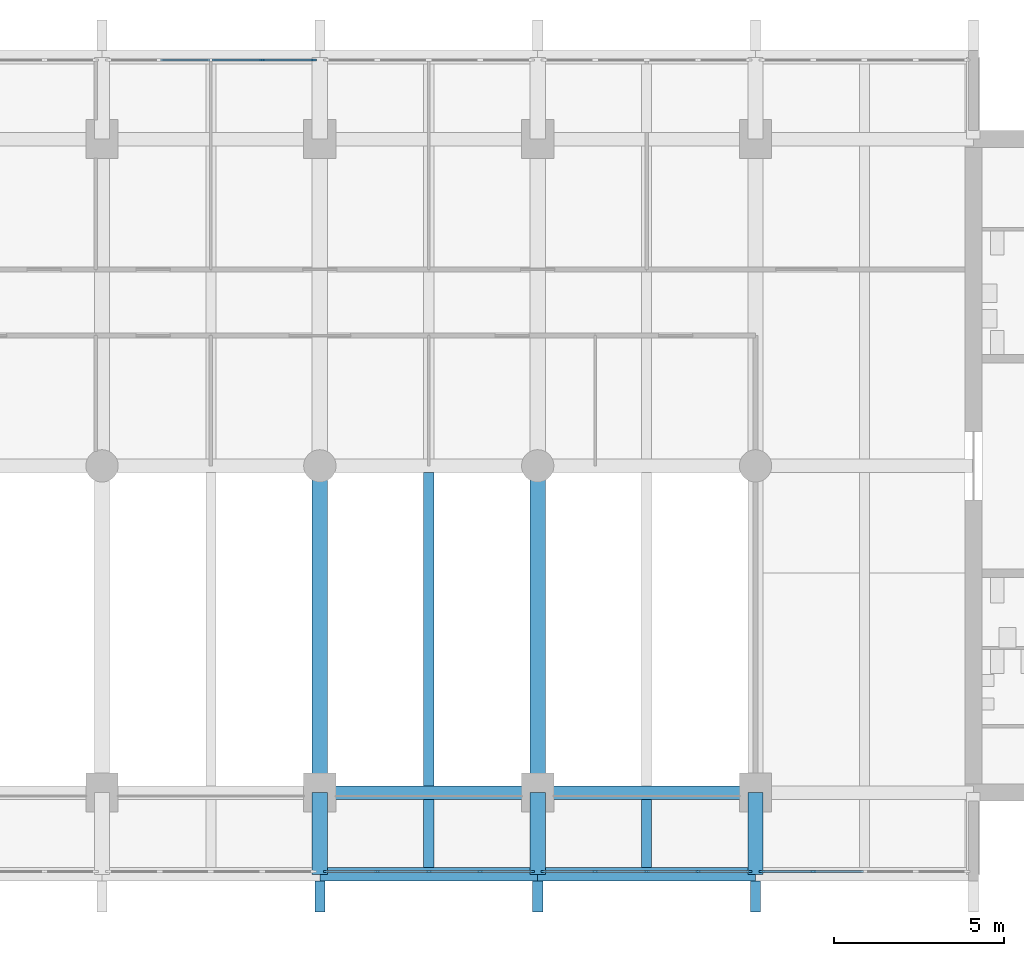
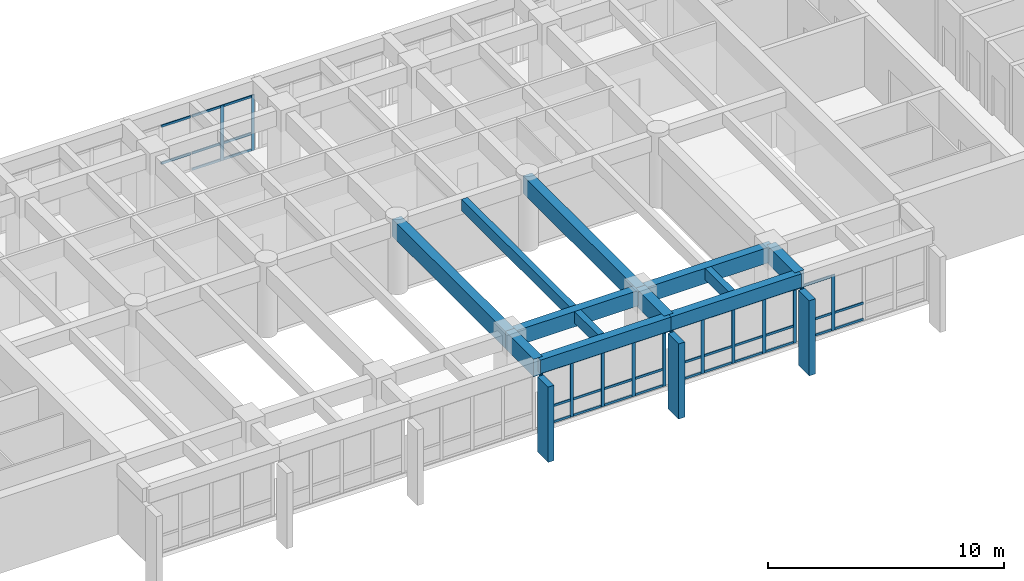
# One storey, part 4 of 15: 54 members, 12 beams, 4 elements without a shape of their own.
"""IFC4 building model written with IfcOpenShell, lengths in metres."""

from ifc_helpers import new_model, si_unit, direction, frame, origin, origin_2d, place, context, subcontext, project, spatial, rectangle, extrude, material, layer, layer_set, material_profile, profile_set, type_object, element, aggregate, save


model = new_model("IFC4")

# Units and contexts
model_context = context("Model", 3, precision=1e-05, world=origin(), true_north=direction((0.0, 1.0)))
body_context = subcontext(model_context, "Body", "Model", "MODEL_VIEW")
ifc_project = project(units=[si_unit("LENGTHUNIT", "METRE"), si_unit("AREAUNIT", "SQUARE_METRE"), si_unit("VOLUMEUNIT", "CUBIC_METRE"), si_unit("PLANEANGLEUNIT", "RADIAN"), si_unit("MASSUNIT", "GRAM", prefix="KILO")], contexts=[model_context])

# Site, building, storey
site_placement = place(None, origin())
site = spatial("IfcSite", under=ifc_project, at=site_placement, CompositionType="ELEMENT")
building_placement = place(site_placement, origin())
building = spatial("IfcBuilding", under=site, at=building_placement, Name="Fogon Plaza Fire Station and Headquarters Tower", CompositionType="ELEMENT")
storey_placement = place(building_placement, frame((0.0, 0.0, 36.60009765625)))
storey = spatial("IfcBuildingStorey", under=building, at=storey_placement, Name="L09", CompositionType="ELEMENT", Elevation=36.60009765625)

# Beams
ifc_material_1 = material(Name="Concrete C40", Category="concrete")
ifc_material_profile_1 = material_profile(ifc_material_1, rectangle(XDim=0.39990234375, YDim=0.699951171875, at=origin_2d()), Name="RC 400x700")
ifc_profile_set_1 = profile_set([ifc_material_profile_1], Name="Concrete C40")
beam_type_1 = type_object("IfcBeamType", Name="BEAM RC 400x700", PredefinedType="BEAM", material=ifc_profile_set_1)
beam_1_placement = place(storey_placement, frame((44.800048828125, 31.199951171875, 3.329833984375), z_axis=(1.0, 0.0, 0.0), x_axis=(0.0, 1.0, 0.0)))
element("IfcBeam", 1, at=beam_1_placement, inside=storey, type_object=beam_type_1, Name="beam-L09-042", PredefinedType="BEAM", context=body_context, shape_type="SweptSolid", body=[
    extrude(rectangle(XDim=0.39990234375, YDim=0.699951171875, at=origin_2d()), origin(), (0.0, 0.0, 1.0), 6.39990234375),
])
beam_2_placement = place(storey_placement, frame((51.199951171875, 31.199951171875, 3.329833984375), z_axis=(1.0, 0.0, 0.0), x_axis=(0.0, 1.0, 0.0)))
element("IfcBeam", 2, at=beam_2_placement, inside=storey, type_object=beam_type_1, Name="beam-L09-043", PredefinedType="BEAM", context=body_context, shape_type="SweptSolid", body=[
    extrude(rectangle(XDim=0.39990234375, YDim=0.699951171875, at=origin_2d()), origin(), (0.0, 0.0, 1.0), 6.400146484375),
])
ifc_material_2 = material(Name="Concrete C40", Category="concrete")
ifc_material_profile_2 = material_profile(ifc_material_2, rectangle(XDim=0.39990234375, YDim=0.800048828125, at=origin_2d()), Name="RC 400x800")
ifc_profile_set_2 = profile_set([ifc_material_profile_2], Name="Concrete C40")
beam_type_2 = type_object("IfcBeamType", Name="BEAM RC 400x800", PredefinedType="BEAM", material=ifc_profile_set_2)
beam_3_placement = place(storey_placement, frame((44.800048828125, 33.60009765625, 3.27978515625), z_axis=(1.0, 0.0, 0.0), x_axis=(0.0, 1.0, 0.0)))
element("IfcBeam", 3, at=beam_3_placement, inside=storey, type_object=beam_type_2, Name="beam-L09-024", PredefinedType="BEAM", context=body_context, shape_type="SweptSolid", body=[
    extrude(rectangle(XDim=0.39990234375, YDim=0.800048828125, at=origin_2d()), origin(), (0.0, 0.0, 1.0), 6.39990234375),
])
beam_4_placement = place(storey_placement, frame((51.199951171875, 33.60009765625, 3.27978515625), z_axis=(1.0, 0.0, 0.0), x_axis=(0.0, 1.0, 0.0)))
element("IfcBeam", 4, at=beam_4_placement, inside=storey, type_object=beam_type_2, Name="beam-L09-025", PredefinedType="BEAM", context=body_context, shape_type="SweptSolid", body=[
    extrude(rectangle(XDim=0.39990234375, YDim=0.800048828125, at=origin_2d()), origin(), (0.0, 0.0, 1.0), 6.400146484375),
])
ifc_material_3 = material(Name="Concrete C40", Category="concrete")
ifc_material_profile_3 = material_profile(ifc_material_3, rectangle(XDim=0.449951171875, YDim=0.89990234375, at=origin_2d()), Name="RC 450x900")
ifc_profile_set_3 = profile_set([ifc_material_profile_3], Name="Concrete C40")
beam_type_3 = type_object("IfcBeamType", Name="BEAM RC 450x900", PredefinedType="BEAM", material=ifc_profile_set_3)
for number, where, z_axis, x_axis, name in (
    (5, (44.800048828125, 33.60009765625, 3.22998046875), (0.0, 1.0, 0.0), (-1.0, 0.0, 0.0), "beam-L09-010"),
    (6, (51.199951171875, 33.60009765625, 3.22998046875), (0.0, 1.0, 0.0), (-1.0, 0.0, 0.0), "beam-L09-014"),
):
    element("IfcBeam", number, at=place(storey_placement, frame(where, z_axis=z_axis, x_axis=x_axis)), inside=storey, type_object=beam_type_3, Name=name, PredefinedType="BEAM", context=body_context, shape_type="SweptSolid", body=[
        extrude(rectangle(XDim=0.449951171875, YDim=0.89990234375, at=origin_2d()), origin(), (0.0, 0.0, 1.0), 9.599853515625),
    ])
ifc_material_4 = material(Name="Concrete C40", Category="concrete")
ifc_material_profile_4 = material_profile(ifc_material_4, rectangle(XDim=0.449951171875, YDim=0.89990234375, at=origin_2d()), Name="RC 450x900")
ifc_profile_set_4 = profile_set([ifc_material_profile_4], Name="Concrete C40")
beam_type_4 = type_object("IfcBeamType", Name="BEAM RC 450x900 SPAN 0.0 TO 3.0 M", PredefinedType="BEAM", material=ifc_profile_set_4)
for number, where, z_axis, x_axis, name in (
    (7, (44.800048828125, 31.199951171875, 3.22998046875), (0.0, 1.0, 0.0), (-1.0, 0.0, 0.0), "beam-L09-009"),
    (8, (51.199951171875, 31.199951171875, 3.22998046875), (0.0, 1.0, 0.0), (-1.0, 0.0, 0.0), "beam-L09-013"),
    (9, (57.60009765625, 31.199951171875, 3.22998046875), (0.0, 1.0, 0.0), (-1.0, 0.0, 0.0), "beam-L09-017"),
):
    element("IfcBeam", number, at=place(storey_placement, frame(where, z_axis=z_axis, x_axis=x_axis)), inside=storey, type_object=beam_type_4, Name=name, PredefinedType="BEAM", context=body_context, shape_type="SweptSolid", body=[
        extrude(rectangle(XDim=0.449951171875, YDim=0.89990234375, at=origin_2d()), origin(), (0.0, 0.0, 1.0), 2.400146484375),
    ])

# Curtain wall, members
ifc_material_5 = material(Name="Aluminium and glass", Category="aluminium")
ifc_layer = layer(ifc_material_5, 0.14990234375)
ifc_layer_set = layer_set([ifc_layer], Name="Aluminium and glass")
curtain_wall_type = type_object("IfcCurtainWallType", Name="Unitised Curtain Wall Run 6100x2880", PredefinedType="NOTDEFINED", material=ifc_layer_set)
curtain_wall_1_placement = place(storey_placement, origin())
curtain_wall_1 = element("IfcCurtainWall", 10, at=curtain_wall_1_placement, inside=storey, type_object=curtain_wall_type, Name="CW-6100x2880 S4 L09", PredefinedType="NOTDEFINED")
ifc_material_6 = material(Name="Aluminium", Category="aluminium")
ifc_material_profile_5 = material_profile(ifc_material_6, rectangle(XDim=0.06005859375, YDim=0.159912109375, at=origin_2d()), Name="Curtain Wall Mullion 60x160")
ifc_profile_set_5 = profile_set([ifc_material_profile_5], Name="Aluminium")
member_type_1 = type_object("IfcMemberType", Name="Curtain Wall Mullion 60x160", PredefinedType="MULLION", material=ifc_profile_set_5)
member_1_placement = place(storey_placement, frame((44.97998046875, 31.280029296875, 0.0), z_axis=(0.0, 0.0, 1.0), x_axis=(0.0, 1.0, 0.0)))
member_1 = element("IfcMember", 11, at=member_1_placement, type_object=member_type_1, Name="CW-6100x2880 mullion 1", PredefinedType="MULLION", context=body_context, shape_type="SweptSolid", body=[
    extrude(rectangle(XDim=0.06005859375, YDim=0.159912109375, at=origin_2d()), origin(), (0.0, 0.0, 1.0), 2.8798828125),
])
member_2_placement = place(storey_placement, frame((46.489990234375, 31.280029296875, 0.0), z_axis=(0.0, 0.0, 1.0), x_axis=(0.0, 1.0, 0.0)))
member_2 = element("IfcMember", 12, at=member_2_placement, type_object=member_type_1, Name="CW-6100x2880 mullion 2", PredefinedType="MULLION", context=body_context, shape_type="SweptSolid", body=[
    extrude(rectangle(XDim=0.06005859375, YDim=0.159912109375, at=origin_2d()), origin(), (0.0, 0.0, 1.0), 2.8798828125),
])
member_3_placement = place(storey_placement, frame((48.0, 31.280029296875, 0.0), z_axis=(0.0, 0.0, 1.0), x_axis=(0.0, 1.0, 0.0)))
member_3 = element("IfcMember", 13, at=member_3_placement, type_object=member_type_1, Name="CW-6100x2880 mullion 3", PredefinedType="MULLION", context=body_context, shape_type="SweptSolid", body=[
    extrude(rectangle(XDim=0.06005859375, YDim=0.159912109375, at=origin_2d()), origin(), (0.0, 0.0, 1.0), 2.8798828125),
])
member_4_placement = place(storey_placement, frame((49.510009765625, 31.280029296875, 0.0), z_axis=(0.0, 0.0, 1.0), x_axis=(0.0, 1.0, 0.0)))
member_4 = element("IfcMember", 14, at=member_4_placement, type_object=member_type_1, Name="CW-6100x2880 mullion 4", PredefinedType="MULLION", context=body_context, shape_type="SweptSolid", body=[
    extrude(rectangle(XDim=0.06005859375, YDim=0.159912109375, at=origin_2d()), origin(), (0.0, 0.0, 1.0), 2.8798828125),
])
member_5_placement = place(storey_placement, frame((51.02001953125, 31.280029296875, 0.0), z_axis=(0.0, 0.0, 1.0), x_axis=(0.0, 1.0, 0.0)))
member_5 = element("IfcMember", 15, at=member_5_placement, type_object=member_type_1, Name="CW-6100x2880 mullion 5", PredefinedType="MULLION", context=body_context, shape_type="SweptSolid", body=[
    extrude(rectangle(XDim=0.06005859375, YDim=0.159912109375, at=origin_2d()), origin(), (0.0, 0.0, 1.0), 2.8798828125),
])

curtain_wall_2_placement = place(storey_placement, origin())
curtain_wall_2 = element("IfcCurtainWall", 16, at=curtain_wall_2_placement, inside=storey, type_object=curtain_wall_type, Name="CW-6100x2880 S5 L09", PredefinedType="NOTDEFINED")
member_6_placement = place(storey_placement, frame((51.3798828125, 31.280029296875, 0.0), z_axis=(0.0, 0.0, 1.0), x_axis=(0.0, 1.0, 0.0)))
member_6 = element("IfcMember", 17, at=member_6_placement, type_object=member_type_1, Name="CW-6100x2880 mullion 1", PredefinedType="MULLION", context=body_context, shape_type="SweptSolid", body=[
    extrude(rectangle(XDim=0.06005859375, YDim=0.159912109375, at=origin_2d()), origin(), (0.0, 0.0, 1.0), 2.8798828125),
])
member_7_placement = place(storey_placement, frame((52.889892578125, 31.280029296875, 0.0), z_axis=(0.0, 0.0, 1.0), x_axis=(0.0, 1.0, 0.0)))
member_7 = element("IfcMember", 18, at=member_7_placement, type_object=member_type_1, Name="CW-6100x2880 mullion 2", PredefinedType="MULLION", context=body_context, shape_type="SweptSolid", body=[
    extrude(rectangle(XDim=0.06005859375, YDim=0.159912109375, at=origin_2d()), origin(), (0.0, 0.0, 1.0), 2.8798828125),
])
member_8_placement = place(storey_placement, frame((54.39990234375, 31.280029296875, 0.0), z_axis=(0.0, 0.0, 1.0), x_axis=(0.0, 1.0, 0.0)))
member_8 = element("IfcMember", 19, at=member_8_placement, type_object=member_type_1, Name="CW-6100x2880 mullion 3", PredefinedType="MULLION", context=body_context, shape_type="SweptSolid", body=[
    extrude(rectangle(XDim=0.06005859375, YDim=0.159912109375, at=origin_2d()), origin(), (0.0, 0.0, 1.0), 2.8798828125),
])
member_9_placement = place(storey_placement, frame((55.909912109375, 31.280029296875, 0.0), z_axis=(0.0, 0.0, 1.0), x_axis=(0.0, 1.0, 0.0)))
member_9 = element("IfcMember", 20, at=member_9_placement, type_object=member_type_1, Name="CW-6100x2880 mullion 4", PredefinedType="MULLION", context=body_context, shape_type="SweptSolid", body=[
    extrude(rectangle(XDim=0.06005859375, YDim=0.159912109375, at=origin_2d()), origin(), (0.0, 0.0, 1.0), 2.8798828125),
])
member_10_placement = place(storey_placement, frame((57.419921875, 31.280029296875, 0.0), z_axis=(0.0, 0.0, 1.0), x_axis=(0.0, 1.0, 0.0)))
member_10 = element("IfcMember", 21, at=member_10_placement, type_object=member_type_1, Name="CW-6100x2880 mullion 5", PredefinedType="MULLION", context=body_context, shape_type="SweptSolid", body=[
    extrude(rectangle(XDim=0.06005859375, YDim=0.159912109375, at=origin_2d()), origin(), (0.0, 0.0, 1.0), 2.8798828125),
])

curtain_wall_3_placement = place(storey_placement, origin())
curtain_wall_3 = element("IfcCurtainWall", 22, at=curtain_wall_3_placement, inside=storey, type_object=curtain_wall_type, Name="CW-6100x2880 S6 L09", PredefinedType="NOTDEFINED")
member_11_placement = place(storey_placement, frame((57.780029296875, 31.280029296875, 0.0), z_axis=(0.0, 0.0, 1.0), x_axis=(0.0, 1.0, 0.0)))
member_11 = element("IfcMember", 23, at=member_11_placement, type_object=member_type_1, Name="CW-6100x2880 mullion 1", PredefinedType="MULLION", context=body_context, shape_type="SweptSolid", body=[
    extrude(rectangle(XDim=0.06005859375, YDim=0.159912109375, at=origin_2d()), origin(), (0.0, 0.0, 1.0), 2.8798828125),
])
member_12_placement = place(storey_placement, frame((59.2900390625, 31.280029296875, 0.0), z_axis=(0.0, 0.0, 1.0), x_axis=(0.0, 1.0, 0.0)))
member_12 = element("IfcMember", 24, at=member_12_placement, type_object=member_type_1, Name="CW-6100x2880 mullion 2", PredefinedType="MULLION", context=body_context, shape_type="SweptSolid", body=[
    extrude(rectangle(XDim=0.06005859375, YDim=0.159912109375, at=origin_2d()), origin(), (0.0, 0.0, 1.0), 2.8798828125),
])

curtain_wall_4_placement = place(storey_placement, origin())
curtain_wall_4 = element("IfcCurtainWall", 25, at=curtain_wall_4_placement, inside=storey, type_object=curtain_wall_type, Name="CW-6100x2880 N3 L09", PredefinedType="NOTDEFINED")
member_13_placement = place(storey_placement, frame((43.110107421875, 55.1201171875, 0.0), z_axis=(0.0, 0.0, 1.0), x_axis=(0.0, 1.0, 0.0)))
member_13 = element("IfcMember", 26, at=member_13_placement, type_object=member_type_1, Name="CW-6100x2880 mullion 4", PredefinedType="MULLION", context=body_context, shape_type="SweptSolid", body=[
    extrude(rectangle(XDim=0.06005859375, YDim=0.159912109375, at=origin_2d()), origin(), (0.0, 0.0, 1.0), 2.8798828125),
])
member_14_placement = place(storey_placement, frame((44.6201171875, 55.1201171875, 0.0), z_axis=(0.0, 0.0, 1.0), x_axis=(0.0, 1.0, 0.0)))
member_14 = element("IfcMember", 27, at=member_14_placement, type_object=member_type_1, Name="CW-6100x2880 mullion 5", PredefinedType="MULLION", context=body_context, shape_type="SweptSolid", body=[
    extrude(rectangle(XDim=0.06005859375, YDim=0.159912109375, at=origin_2d()), origin(), (0.0, 0.0, 1.0), 2.8798828125),
])

# Member
ifc_material_7 = material(Name="Aluminium", Category="aluminium")
ifc_material_profile_6 = material_profile(ifc_material_7, rectangle(XDim=0.06005859375, YDim=0.1201171875, at=origin_2d()), Name="Curtain Wall Transom 60x120")
ifc_profile_set_6 = profile_set([ifc_material_profile_6], Name="Aluminium")
member_type_2 = type_object("IfcMemberType", Name="Curtain Wall Transom 60x120", PredefinedType="USERDEFINED", material=ifc_profile_set_6)
member_15_placement = place(storey_placement, frame((45.010009765625, 31.280029296875, 0.059814453125), z_axis=(1.0, 0.0, 0.0), x_axis=(0.0, 1.0, 0.0)))
member_15 = element("IfcMember", 28, at=member_15_placement, type_object=member_type_2, Name="CW-6100x2880 transom 1.1", ObjectType="TRANSOM", PredefinedType="USERDEFINED", context=body_context, shape_type="SweptSolid", body=[
    extrude(rectangle(XDim=0.06005859375, YDim=0.1201171875, at=origin_2d()), origin(), (0.0, 0.0, 1.0), 1.449951171875),
])

member_16_placement = place(storey_placement, frame((45.010009765625, 31.280029296875, 0.89990234375), z_axis=(1.0, 0.0, 0.0), x_axis=(0.0, 1.0, 0.0)))
member_16 = element("IfcMember", 29, at=member_16_placement, type_object=member_type_2, Name="CW-6100x2880 transom 1.2", ObjectType="TRANSOM", PredefinedType="USERDEFINED", context=body_context, shape_type="SweptSolid", body=[
    extrude(rectangle(XDim=0.06005859375, YDim=0.1201171875, at=origin_2d()), origin(), (0.0, 0.0, 1.0), 1.449951171875),
])

member_17_placement = place(storey_placement, frame((45.010009765625, 31.280029296875, 2.81982421875), z_axis=(1.0, 0.0, 0.0), x_axis=(0.0, 1.0, 0.0)))
member_17 = element("IfcMember", 30, at=member_17_placement, type_object=member_type_2, Name="CW-6100x2880 transom 1.3", ObjectType="TRANSOM", PredefinedType="USERDEFINED", context=body_context, shape_type="SweptSolid", body=[
    extrude(rectangle(XDim=0.06005859375, YDim=0.1201171875, at=origin_2d()), origin(), (0.0, 0.0, 1.0), 1.449951171875),
])

member_18_placement = place(storey_placement, frame((46.52001953125, 31.280029296875, 0.059814453125), z_axis=(1.0, 0.0, 0.0), x_axis=(0.0, 1.0, 0.0)))
member_18 = element("IfcMember", 31, at=member_18_placement, type_object=member_type_2, Name="CW-6100x2880 transom 2.1", ObjectType="TRANSOM", PredefinedType="USERDEFINED", context=body_context, shape_type="SweptSolid", body=[
    extrude(rectangle(XDim=0.06005859375, YDim=0.1201171875, at=origin_2d()), origin(), (0.0, 0.0, 1.0), 1.449951171875),
])

member_19_placement = place(storey_placement, frame((46.52001953125, 31.280029296875, 0.89990234375), z_axis=(1.0, 0.0, 0.0), x_axis=(0.0, 1.0, 0.0)))
member_19 = element("IfcMember", 32, at=member_19_placement, type_object=member_type_2, Name="CW-6100x2880 transom 2.2", ObjectType="TRANSOM", PredefinedType="USERDEFINED", context=body_context, shape_type="SweptSolid", body=[
    extrude(rectangle(XDim=0.06005859375, YDim=0.1201171875, at=origin_2d()), origin(), (0.0, 0.0, 1.0), 1.449951171875),
])

member_20_placement = place(storey_placement, frame((46.52001953125, 31.280029296875, 2.81982421875), z_axis=(1.0, 0.0, 0.0), x_axis=(0.0, 1.0, 0.0)))
member_20 = element("IfcMember", 33, at=member_20_placement, type_object=member_type_2, Name="CW-6100x2880 transom 2.3", ObjectType="TRANSOM", PredefinedType="USERDEFINED", context=body_context, shape_type="SweptSolid", body=[
    extrude(rectangle(XDim=0.06005859375, YDim=0.1201171875, at=origin_2d()), origin(), (0.0, 0.0, 1.0), 1.449951171875),
])

member_21_placement = place(storey_placement, frame((48.030029296875, 31.280029296875, 0.059814453125), z_axis=(1.0, 0.0, 0.0), x_axis=(0.0, 1.0, 0.0)))
member_21 = element("IfcMember", 34, at=member_21_placement, type_object=member_type_2, Name="CW-6100x2880 transom 3.1", ObjectType="TRANSOM", PredefinedType="USERDEFINED", context=body_context, shape_type="SweptSolid", body=[
    extrude(rectangle(XDim=0.06005859375, YDim=0.1201171875, at=origin_2d()), origin(), (0.0, 0.0, 1.0), 1.449951171875),
])

member_22_placement = place(storey_placement, frame((48.030029296875, 31.280029296875, 0.89990234375), z_axis=(1.0, 0.0, 0.0), x_axis=(0.0, 1.0, 0.0)))
member_22 = element("IfcMember", 35, at=member_22_placement, type_object=member_type_2, Name="CW-6100x2880 transom 3.2", ObjectType="TRANSOM", PredefinedType="USERDEFINED", context=body_context, shape_type="SweptSolid", body=[
    extrude(rectangle(XDim=0.06005859375, YDim=0.1201171875, at=origin_2d()), origin(), (0.0, 0.0, 1.0), 1.449951171875),
])

member_23_placement = place(storey_placement, frame((48.030029296875, 31.280029296875, 2.81982421875), z_axis=(1.0, 0.0, 0.0), x_axis=(0.0, 1.0, 0.0)))
member_23 = element("IfcMember", 36, at=member_23_placement, type_object=member_type_2, Name="CW-6100x2880 transom 3.3", ObjectType="TRANSOM", PredefinedType="USERDEFINED", context=body_context, shape_type="SweptSolid", body=[
    extrude(rectangle(XDim=0.06005859375, YDim=0.1201171875, at=origin_2d()), origin(), (0.0, 0.0, 1.0), 1.449951171875),
])

member_24_placement = place(storey_placement, frame((49.5400390625, 31.280029296875, 0.059814453125), z_axis=(1.0, 0.0, 0.0), x_axis=(0.0, 1.0, 0.0)))
member_24 = element("IfcMember", 37, at=member_24_placement, type_object=member_type_2, Name="CW-6100x2880 transom 4.1", ObjectType="TRANSOM", PredefinedType="USERDEFINED", context=body_context, shape_type="SweptSolid", body=[
    extrude(rectangle(XDim=0.06005859375, YDim=0.1201171875, at=origin_2d()), origin(), (0.0, 0.0, 1.0), 1.449951171875),
])

member_25_placement = place(storey_placement, frame((49.5400390625, 31.280029296875, 0.89990234375), z_axis=(1.0, 0.0, 0.0), x_axis=(0.0, 1.0, 0.0)))
member_25 = element("IfcMember", 38, at=member_25_placement, type_object=member_type_2, Name="CW-6100x2880 transom 4.2", ObjectType="TRANSOM", PredefinedType="USERDEFINED", context=body_context, shape_type="SweptSolid", body=[
    extrude(rectangle(XDim=0.06005859375, YDim=0.1201171875, at=origin_2d()), origin(), (0.0, 0.0, 1.0), 1.449951171875),
])

member_26_placement = place(storey_placement, frame((49.5400390625, 31.280029296875, 2.81982421875), z_axis=(1.0, 0.0, 0.0), x_axis=(0.0, 1.0, 0.0)))
member_26 = element("IfcMember", 39, at=member_26_placement, type_object=member_type_2, Name="CW-6100x2880 transom 4.3", ObjectType="TRANSOM", PredefinedType="USERDEFINED", context=body_context, shape_type="SweptSolid", body=[
    extrude(rectangle(XDim=0.06005859375, YDim=0.1201171875, at=origin_2d()), origin(), (0.0, 0.0, 1.0), 1.449951171875),
])

aggregate(curtain_wall_1, [member_1, member_2, member_3, member_4, member_5, member_15, member_16, member_17, member_18, member_19, member_20, member_21, member_22, member_23, member_24, member_25, member_26])

member_27_placement = place(storey_placement, frame((51.409912109375, 31.280029296875, 0.059814453125), z_axis=(1.0, 0.0, 0.0), x_axis=(0.0, 1.0, 0.0)))
member_27 = element("IfcMember", 40, at=member_27_placement, type_object=member_type_2, Name="CW-6100x2880 transom 1.1", ObjectType="TRANSOM", PredefinedType="USERDEFINED", context=body_context, shape_type="SweptSolid", body=[
    extrude(rectangle(XDim=0.06005859375, YDim=0.1201171875, at=origin_2d()), origin(), (0.0, 0.0, 1.0), 1.4501953125),
])

member_28_placement = place(storey_placement, frame((51.409912109375, 31.280029296875, 0.89990234375), z_axis=(1.0, 0.0, 0.0), x_axis=(0.0, 1.0, 0.0)))
member_28 = element("IfcMember", 41, at=member_28_placement, type_object=member_type_2, Name="CW-6100x2880 transom 1.2", ObjectType="TRANSOM", PredefinedType="USERDEFINED", context=body_context, shape_type="SweptSolid", body=[
    extrude(rectangle(XDim=0.06005859375, YDim=0.1201171875, at=origin_2d()), origin(), (0.0, 0.0, 1.0), 1.4501953125),
])

member_29_placement = place(storey_placement, frame((51.409912109375, 31.280029296875, 2.81982421875), z_axis=(1.0, 0.0, 0.0), x_axis=(0.0, 1.0, 0.0)))
member_29 = element("IfcMember", 42, at=member_29_placement, type_object=member_type_2, Name="CW-6100x2880 transom 1.3", ObjectType="TRANSOM", PredefinedType="USERDEFINED", context=body_context, shape_type="SweptSolid", body=[
    extrude(rectangle(XDim=0.06005859375, YDim=0.1201171875, at=origin_2d()), origin(), (0.0, 0.0, 1.0), 1.4501953125),
])

member_30_placement = place(storey_placement, frame((52.919921875, 31.280029296875, 0.059814453125), z_axis=(1.0, 0.0, 0.0), x_axis=(0.0, 1.0, 0.0)))
member_30 = element("IfcMember", 43, at=member_30_placement, type_object=member_type_2, Name="CW-6100x2880 transom 2.1", ObjectType="TRANSOM", PredefinedType="USERDEFINED", context=body_context, shape_type="SweptSolid", body=[
    extrude(rectangle(XDim=0.06005859375, YDim=0.1201171875, at=origin_2d()), origin(), (0.0, 0.0, 1.0), 1.4501953125),
])

member_31_placement = place(storey_placement, frame((52.919921875, 31.280029296875, 0.89990234375), z_axis=(1.0, 0.0, 0.0), x_axis=(0.0, 1.0, 0.0)))
member_31 = element("IfcMember", 44, at=member_31_placement, type_object=member_type_2, Name="CW-6100x2880 transom 2.2", ObjectType="TRANSOM", PredefinedType="USERDEFINED", context=body_context, shape_type="SweptSolid", body=[
    extrude(rectangle(XDim=0.06005859375, YDim=0.1201171875, at=origin_2d()), origin(), (0.0, 0.0, 1.0), 1.4501953125),
])

member_32_placement = place(storey_placement, frame((52.919921875, 31.280029296875, 2.81982421875), z_axis=(1.0, 0.0, 0.0), x_axis=(0.0, 1.0, 0.0)))
member_32 = element("IfcMember", 45, at=member_32_placement, type_object=member_type_2, Name="CW-6100x2880 transom 2.3", ObjectType="TRANSOM", PredefinedType="USERDEFINED", context=body_context, shape_type="SweptSolid", body=[
    extrude(rectangle(XDim=0.06005859375, YDim=0.1201171875, at=origin_2d()), origin(), (0.0, 0.0, 1.0), 1.4501953125),
])

member_33_placement = place(storey_placement, frame((54.429931640625, 31.280029296875, 0.059814453125), z_axis=(1.0, 0.0, 0.0), x_axis=(0.0, 1.0, 0.0)))
member_33 = element("IfcMember", 46, at=member_33_placement, type_object=member_type_2, Name="CW-6100x2880 transom 3.1", ObjectType="TRANSOM", PredefinedType="USERDEFINED", context=body_context, shape_type="SweptSolid", body=[
    extrude(rectangle(XDim=0.06005859375, YDim=0.1201171875, at=origin_2d()), origin(), (0.0, 0.0, 1.0), 1.449951171875),
])

member_34_placement = place(storey_placement, frame((54.429931640625, 31.280029296875, 0.89990234375), z_axis=(1.0, 0.0, 0.0), x_axis=(0.0, 1.0, 0.0)))
member_34 = element("IfcMember", 47, at=member_34_placement, type_object=member_type_2, Name="CW-6100x2880 transom 3.2", ObjectType="TRANSOM", PredefinedType="USERDEFINED", context=body_context, shape_type="SweptSolid", body=[
    extrude(rectangle(XDim=0.06005859375, YDim=0.1201171875, at=origin_2d()), origin(), (0.0, 0.0, 1.0), 1.449951171875),
])

member_35_placement = place(storey_placement, frame((54.429931640625, 31.280029296875, 2.81982421875), z_axis=(1.0, 0.0, 0.0), x_axis=(0.0, 1.0, 0.0)))
member_35 = element("IfcMember", 48, at=member_35_placement, type_object=member_type_2, Name="CW-6100x2880 transom 3.3", ObjectType="TRANSOM", PredefinedType="USERDEFINED", context=body_context, shape_type="SweptSolid", body=[
    extrude(rectangle(XDim=0.06005859375, YDim=0.1201171875, at=origin_2d()), origin(), (0.0, 0.0, 1.0), 1.449951171875),
])

member_36_placement = place(storey_placement, frame((55.93994140625, 31.280029296875, 0.059814453125), z_axis=(1.0, 0.0, 0.0), x_axis=(0.0, 1.0, 0.0)))
member_36 = element("IfcMember", 49, at=member_36_placement, type_object=member_type_2, Name="CW-6100x2880 transom 4.1", ObjectType="TRANSOM", PredefinedType="USERDEFINED", context=body_context, shape_type="SweptSolid", body=[
    extrude(rectangle(XDim=0.06005859375, YDim=0.1201171875, at=origin_2d()), origin(), (0.0, 0.0, 1.0), 1.449951171875),
])

member_37_placement = place(storey_placement, frame((55.93994140625, 31.280029296875, 0.89990234375), z_axis=(1.0, 0.0, 0.0), x_axis=(0.0, 1.0, 0.0)))
member_37 = element("IfcMember", 50, at=member_37_placement, type_object=member_type_2, Name="CW-6100x2880 transom 4.2", ObjectType="TRANSOM", PredefinedType="USERDEFINED", context=body_context, shape_type="SweptSolid", body=[
    extrude(rectangle(XDim=0.06005859375, YDim=0.1201171875, at=origin_2d()), origin(), (0.0, 0.0, 1.0), 1.449951171875),
])

member_38_placement = place(storey_placement, frame((55.93994140625, 31.280029296875, 2.81982421875), z_axis=(1.0, 0.0, 0.0), x_axis=(0.0, 1.0, 0.0)))
member_38 = element("IfcMember", 51, at=member_38_placement, type_object=member_type_2, Name="CW-6100x2880 transom 4.3", ObjectType="TRANSOM", PredefinedType="USERDEFINED", context=body_context, shape_type="SweptSolid", body=[
    extrude(rectangle(XDim=0.06005859375, YDim=0.1201171875, at=origin_2d()), origin(), (0.0, 0.0, 1.0), 1.449951171875),
])

aggregate(curtain_wall_2, [member_6, member_7, member_8, member_9, member_10, member_27, member_28, member_29, member_30, member_31, member_32, member_33, member_34, member_35, member_36, member_37, member_38])

member_39_placement = place(storey_placement, frame((57.81005859375, 31.280029296875, 0.059814453125), z_axis=(1.0, 0.0, 0.0), x_axis=(0.0, 1.0, 0.0)))
member_39 = element("IfcMember", 52, at=member_39_placement, type_object=member_type_2, Name="CW-6100x2880 transom 1.1", ObjectType="TRANSOM", PredefinedType="USERDEFINED", context=body_context, shape_type="SweptSolid", body=[
    extrude(rectangle(XDim=0.06005859375, YDim=0.1201171875, at=origin_2d()), origin(), (0.0, 0.0, 1.0), 1.449951171875),
])

member_40_placement = place(storey_placement, frame((57.81005859375, 31.280029296875, 0.89990234375), z_axis=(1.0, 0.0, 0.0), x_axis=(0.0, 1.0, 0.0)))
member_40 = element("IfcMember", 53, at=member_40_placement, type_object=member_type_2, Name="CW-6100x2880 transom 1.2", ObjectType="TRANSOM", PredefinedType="USERDEFINED", context=body_context, shape_type="SweptSolid", body=[
    extrude(rectangle(XDim=0.06005859375, YDim=0.1201171875, at=origin_2d()), origin(), (0.0, 0.0, 1.0), 1.449951171875),
])

member_41_placement = place(storey_placement, frame((57.81005859375, 31.280029296875, 2.81982421875), z_axis=(1.0, 0.0, 0.0), x_axis=(0.0, 1.0, 0.0)))
member_41 = element("IfcMember", 54, at=member_41_placement, type_object=member_type_2, Name="CW-6100x2880 transom 1.3", ObjectType="TRANSOM", PredefinedType="USERDEFINED", context=body_context, shape_type="SweptSolid", body=[
    extrude(rectangle(XDim=0.06005859375, YDim=0.1201171875, at=origin_2d()), origin(), (0.0, 0.0, 1.0), 1.449951171875),
])

member_42_placement = place(storey_placement, frame((59.320068359375, 31.280029296875, 0.059814453125), z_axis=(1.0, 0.0, 0.0), x_axis=(0.0, 1.0, 0.0)))
member_42 = element("IfcMember", 55, at=member_42_placement, type_object=member_type_2, Name="CW-6100x2880 transom 2.1", ObjectType="TRANSOM", PredefinedType="USERDEFINED", context=body_context, shape_type="SweptSolid", body=[
    extrude(rectangle(XDim=0.06005859375, YDim=0.1201171875, at=origin_2d()), origin(), (0.0, 0.0, 1.0), 1.449951171875),
])

member_43_placement = place(storey_placement, frame((59.320068359375, 31.280029296875, 0.89990234375), z_axis=(1.0, 0.0, 0.0), x_axis=(0.0, 1.0, 0.0)))
member_43 = element("IfcMember", 56, at=member_43_placement, type_object=member_type_2, Name="CW-6100x2880 transom 2.2", ObjectType="TRANSOM", PredefinedType="USERDEFINED", context=body_context, shape_type="SweptSolid", body=[
    extrude(rectangle(XDim=0.06005859375, YDim=0.1201171875, at=origin_2d()), origin(), (0.0, 0.0, 1.0), 1.449951171875),
])

aggregate(curtain_wall_3, [member_11, member_12, member_39, member_40, member_41, member_42, member_43])

member_44_placement = place(storey_placement, frame((40.1201171875, 55.1201171875, 0.89990234375), z_axis=(1.0, 0.0, 0.0), x_axis=(0.0, 1.0, 0.0)))
member_44 = element("IfcMember", 57, at=member_44_placement, type_object=member_type_2, Name="CW-6100x2880 transom 2.2", ObjectType="TRANSOM", PredefinedType="USERDEFINED", context=body_context, shape_type="SweptSolid", body=[
    extrude(rectangle(XDim=0.06005859375, YDim=0.1201171875, at=origin_2d()), origin(), (0.0, 0.0, 1.0), 1.449951171875),
])

member_45_placement = place(storey_placement, frame((40.1201171875, 55.1201171875, 2.81982421875), z_axis=(1.0, 0.0, 0.0), x_axis=(0.0, 1.0, 0.0)))
member_45 = element("IfcMember", 58, at=member_45_placement, type_object=member_type_2, Name="CW-6100x2880 transom 2.3", ObjectType="TRANSOM", PredefinedType="USERDEFINED", context=body_context, shape_type="SweptSolid", body=[
    extrude(rectangle(XDim=0.06005859375, YDim=0.1201171875, at=origin_2d()), origin(), (0.0, 0.0, 1.0), 1.449951171875),
])

member_46_placement = place(storey_placement, frame((41.6298828125, 55.1201171875, 0.059814453125), z_axis=(1.0, 0.0, 0.0), x_axis=(0.0, 1.0, 0.0)))
member_46 = element("IfcMember", 59, at=member_46_placement, type_object=member_type_2, Name="CW-6100x2880 transom 3.1", ObjectType="TRANSOM", PredefinedType="USERDEFINED", context=body_context, shape_type="SweptSolid", body=[
    extrude(rectangle(XDim=0.06005859375, YDim=0.1201171875, at=origin_2d()), origin(), (0.0, 0.0, 1.0), 1.4501953125),
])

member_47_placement = place(storey_placement, frame((41.6298828125, 55.1201171875, 0.89990234375), z_axis=(1.0, 0.0, 0.0), x_axis=(0.0, 1.0, 0.0)))
member_47 = element("IfcMember", 60, at=member_47_placement, type_object=member_type_2, Name="CW-6100x2880 transom 3.2", ObjectType="TRANSOM", PredefinedType="USERDEFINED", context=body_context, shape_type="SweptSolid", body=[
    extrude(rectangle(XDim=0.06005859375, YDim=0.1201171875, at=origin_2d()), origin(), (0.0, 0.0, 1.0), 1.4501953125),
])

member_48_placement = place(storey_placement, frame((41.6298828125, 55.1201171875, 2.81982421875), z_axis=(1.0, 0.0, 0.0), x_axis=(0.0, 1.0, 0.0)))
member_48 = element("IfcMember", 61, at=member_48_placement, type_object=member_type_2, Name="CW-6100x2880 transom 3.3", ObjectType="TRANSOM", PredefinedType="USERDEFINED", context=body_context, shape_type="SweptSolid", body=[
    extrude(rectangle(XDim=0.06005859375, YDim=0.1201171875, at=origin_2d()), origin(), (0.0, 0.0, 1.0), 1.4501953125),
])

member_49_placement = place(storey_placement, frame((43.139892578125, 55.1201171875, 0.059814453125), z_axis=(1.0, 0.0, 0.0), x_axis=(0.0, 1.0, 0.0)))
member_49 = element("IfcMember", 62, at=member_49_placement, type_object=member_type_2, Name="CW-6100x2880 transom 4.1", ObjectType="TRANSOM", PredefinedType="USERDEFINED", context=body_context, shape_type="SweptSolid", body=[
    extrude(rectangle(XDim=0.06005859375, YDim=0.1201171875, at=origin_2d()), origin(), (0.0, 0.0, 1.0), 1.4501953125),
])

member_50_placement = place(storey_placement, frame((43.139892578125, 55.1201171875, 0.89990234375), z_axis=(1.0, 0.0, 0.0), x_axis=(0.0, 1.0, 0.0)))
member_50 = element("IfcMember", 63, at=member_50_placement, type_object=member_type_2, Name="CW-6100x2880 transom 4.2", ObjectType="TRANSOM", PredefinedType="USERDEFINED", context=body_context, shape_type="SweptSolid", body=[
    extrude(rectangle(XDim=0.06005859375, YDim=0.1201171875, at=origin_2d()), origin(), (0.0, 0.0, 1.0), 1.4501953125),
])

member_51_placement = place(storey_placement, frame((43.139892578125, 55.1201171875, 2.81982421875), z_axis=(1.0, 0.0, 0.0), x_axis=(0.0, 1.0, 0.0)))
member_51 = element("IfcMember", 64, at=member_51_placement, type_object=member_type_2, Name="CW-6100x2880 transom 4.3", ObjectType="TRANSOM", PredefinedType="USERDEFINED", context=body_context, shape_type="SweptSolid", body=[
    extrude(rectangle(XDim=0.06005859375, YDim=0.1201171875, at=origin_2d()), origin(), (0.0, 0.0, 1.0), 1.4501953125),
])

aggregate(curtain_wall_4, [member_13, member_14, member_44, member_45, member_46, member_47, member_48, member_49, member_50, member_51])

# Beams
ifc_material_8 = material(Name="Concrete C40", Category="concrete")
ifc_material_profile_7 = material_profile(ifc_material_8, rectangle(XDim=0.300048828125, YDim=0.60009765625, at=origin_2d()), Name="RC 300x600")
ifc_profile_set_7 = profile_set([ifc_material_profile_7], Name="Concrete C40")
beam_type_5 = type_object("IfcBeamType", Name="JOIST RC 300x600", PredefinedType="JOIST", material=ifc_profile_set_7)
beam_5_placement = place(storey_placement, frame((48.0, 33.800048828125, 3.3798828125), z_axis=(0.0, 1.0, 0.0), x_axis=(-1.0, 0.0, 0.0)))
element("IfcBeam", 65, at=beam_5_placement, inside=storey, type_object=beam_type_5, Name="beam-L09-068", PredefinedType="JOIST", context=body_context, shape_type="SweptSolid", body=[
    extrude(rectangle(XDim=0.300048828125, YDim=0.60009765625, at=origin_2d()), origin(), (0.0, 0.0, 1.0), 9.199951171875),
])
ifc_material_9 = material(Name="Concrete C40", Category="concrete")
ifc_material_profile_8 = material_profile(ifc_material_9, rectangle(XDim=0.300048828125, YDim=0.60009765625, at=origin_2d()), Name="RC 300x600")
ifc_profile_set_8 = profile_set([ifc_material_profile_8], Name="Concrete C40")
beam_type_6 = type_object("IfcBeamType", Name="JOIST RC 300x600 SPAN 0.0 TO 3.0 M", PredefinedType="JOIST", material=ifc_profile_set_8)
for number, where, z_axis, x_axis, name in (
    (66, (48.0, 31.39990234375, 3.3798828125), (0.0, 1.0, 0.0), (-1.0, 0.0, 0.0), "beam-L09-067"),
    (67, (54.39990234375, 31.39990234375, 3.3798828125), (0.0, 1.0, 0.0), (-1.0, 0.0, 0.0), "beam-L09-071"),
):
    element("IfcBeam", number, at=place(storey_placement, frame(where, z_axis=z_axis, x_axis=x_axis)), inside=storey, type_object=beam_type_6, Name=name, PredefinedType="JOIST", context=body_context, shape_type="SweptSolid", body=[
        extrude(rectangle(XDim=0.300048828125, YDim=0.60009765625, at=origin_2d()), origin(), (0.0, 0.0, 1.0), 2.0),
    ])

# Members
ifc_material_10 = material(Name="Concrete C40 precast", Category="concrete")
ifc_material_profile_9 = material_profile(ifc_material_10, rectangle(XDim=0.300048828125, YDim=0.89990234375, at=origin_2d()), Name="Precast Concrete Post 300x900")
ifc_profile_set_9 = profile_set([ifc_material_profile_9], Name="Concrete C40 precast")
member_type_3 = type_object("IfcMemberType", Name="Precast Concrete Post 300x900", PredefinedType="POST", material=ifc_profile_set_9)
for number, where, z_axis, x_axis, name in (
    (68, (44.800048828125, 30.550048828125, -1.02001953125), (0.0, 0.0, 1.0), (1.0, 0.0, 0.0), "Precast Post S L09"),
    (69, (51.199951171875, 30.550048828125, -1.02001953125), (0.0, 0.0, 1.0), (1.0, 0.0, 0.0), "Precast Post S L09"),
    (70, (57.60009765625, 30.550048828125, -1.02001953125), (0.0, 0.0, 1.0), (1.0, 0.0, 0.0), "Precast Post S L09"),
):
    element("IfcMember", number, at=place(storey_placement, frame(where, z_axis=z_axis, x_axis=x_axis)), inside=storey, type_object=member_type_3, Name=name, PredefinedType="POST", context=body_context, shape_type="SweptSolid", body=[
        extrude(rectangle(XDim=0.300048828125, YDim=0.89990234375, at=origin_2d()), origin(), (0.0, 0.0, 1.0), 3.89990234375),
    ])

save(model, "model.ifc")
